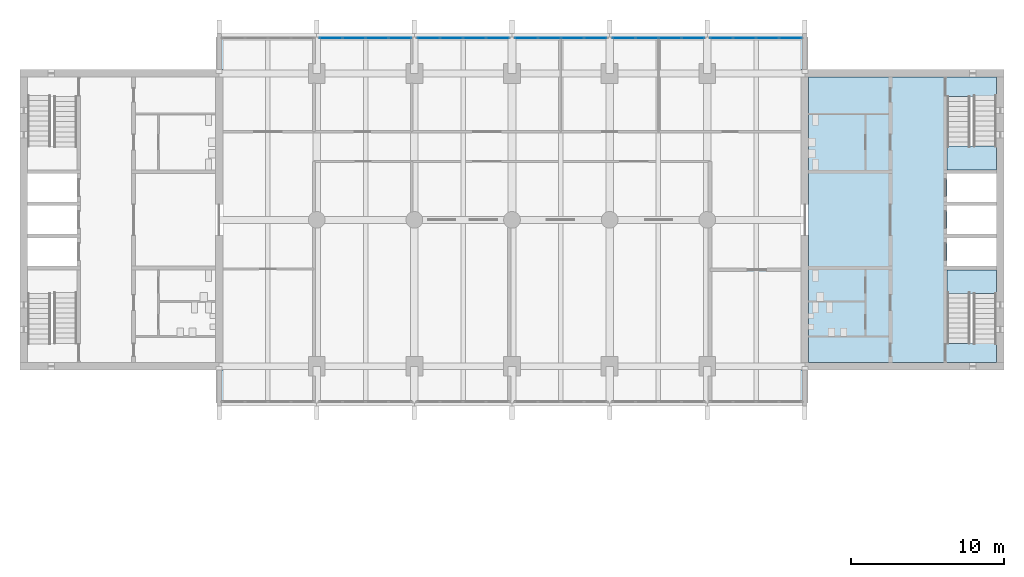
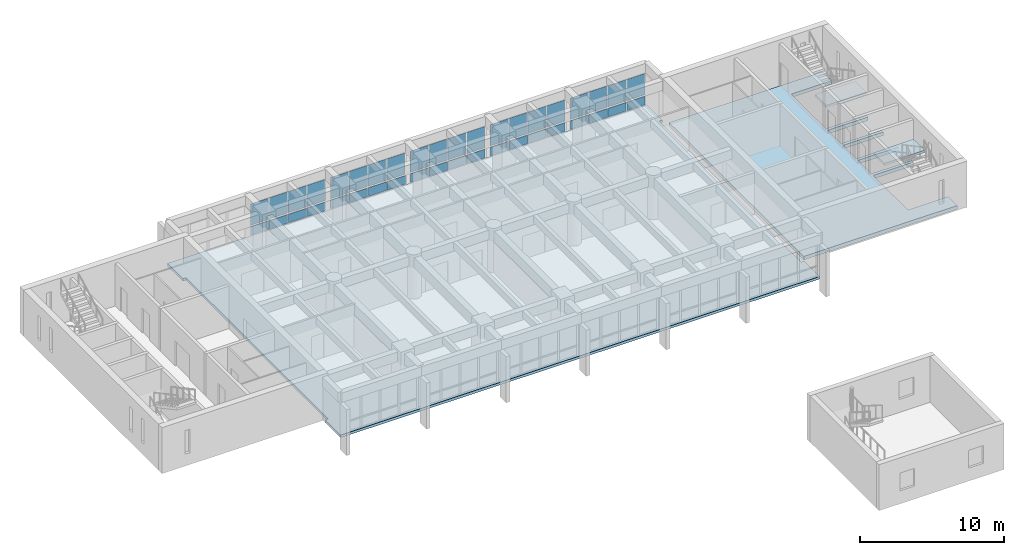
# One storey, part 8 of 19: 40 plates, 4 slabs, 7 elements without a shape of their own.
"""IFC4 building model written with IfcOpenShell, lengths in metres."""

import ifcopenshell
import ifcopenshell.guid

model = None  # the IFC model being written
_history = None  # IfcOwnerHistory: only IFC2X3 demands one
_inside = {}  # id of a spatial element -> (the spatial element, [elements in it])
_under = {}  # id of a project, library or spatial element -> (it, [spatial elements below it])
_declared = {}  # id of a project -> (the project, [libraries it declares])
_typed = {}  # id of a type object -> (the type object, [elements of that type])
_made_of = {}  # id of a material, layer set ... -> (it, [elements and type objects made of it])


def new_model(schema):
    """Start an empty IFC model of exactly this schema.

    Asked for "IFC4X3", IfcOpenShell would pick the latest addendum, in which some entities
    have other attributes; the version numbers below select the first issue.
    IFC2X3 requires an IfcOwnerHistory on every rooted entity: one is made here for all.
    """
    global model, _history
    if schema == "IFC4X3":
        model = ifcopenshell.file(schema_version=(4, 3, 0, 0))
    else:
        model = ifcopenshell.file(schema=schema)
    _inside.clear()
    _under.clear()
    _declared.clear()
    _typed.clear()
    _made_of.clear()
    _history = None
    if model.schema == "IFC2X3":
        org = make("IfcOrganization", Name="unknown")
        user = make(
            "IfcPersonAndOrganization",
            ThePerson=make("IfcPerson", FamilyName="unknown"),
            TheOrganization=org,
        )
        app = make(
            "IfcApplication",
            ApplicationDeveloper=org,
            Version="unknown",
            ApplicationFullName="unknown",
            ApplicationIdentifier="unknown",
        )
        _history = make(
            "IfcOwnerHistory",
            OwningUser=user,
            OwningApplication=app,
            ChangeAction="ADDED",
            CreationDate=0,
        )
    return model


def make(cls, **values):
    """One entity of the class cls with the attributes given. An attribute that is None is left unset."""
    return model.create_entity(
        cls, **{name: value for name, value in values.items() if value is not None}
    )


def rooted(cls, **values):
    """An entity with a GlobalId (a new one), such as an element, a storey or a relation."""
    return make(cls, GlobalId=ifcopenshell.guid.new(), OwnerHistory=_history, **values)


def si_unit(unit_type, name, prefix=None):
    """IfcSIUnit, for example si_unit("LENGTHUNIT", "METRE", prefix="MILLI")."""
    return make("IfcSIUnit", UnitType=unit_type, Prefix=prefix, Name=name)


def assignment(units):
    """IfcUnitAssignment: the units of a project."""
    return None if units is None else make("IfcUnitAssignment", Units=units)


def point(xyz):
    """IfcCartesianPoint."""
    return None if xyz is None else make("IfcCartesianPoint", Coordinates=xyz)


def direction(xyz):
    """IfcDirection."""
    return None if xyz is None else make("IfcDirection", DirectionRatios=xyz)


def frame(location, z_axis=None, x_axis=None):
    """IfcAxis2Placement3D, a coordinate frame: its origin and axes. An axis left out is left unset."""
    return make(
        "IfcAxis2Placement3D",
        Location=point(location),
        Axis=direction(z_axis),
        RefDirection=direction(x_axis),
    )


def frame_2d(location, x_axis=None):
    """IfcAxis2Placement2D, a coordinate frame in the plane: its origin and x axis."""
    return make(
        "IfcAxis2Placement2D", Location=point(location), RefDirection=direction(x_axis)
    )


def origin():
    """The frame at (0, 0, 0) with its axes left unset."""
    return frame((0.0, 0.0, 0.0))


def origin_2d():
    """The frame at (0, 0) in the plane with its x axis left unset."""
    return frame_2d((0.0, 0.0))


def place(relative_to, where):
    """IfcLocalPlacement: puts the frame where relative to a parent placement (None: the world)."""
    return make(
        "IfcLocalPlacement", PlacementRelTo=relative_to, RelativePlacement=where
    )


def context(
    kind, dimensions, precision=None, world=None, true_north=None, identifier=None
):
    """IfcGeometricRepresentationContext, for example the 3D "Model" context."""
    return make(
        "IfcGeometricRepresentationContext",
        ContextIdentifier=identifier,
        ContextType=kind,
        CoordinateSpaceDimension=dimensions,
        Precision=precision,
        WorldCoordinateSystem=world,
        TrueNorth=true_north,
    )


def subcontext(parent, identifier, kind, view, scale=None):
    """IfcGeometricRepresentationSubContext, for example "Body" below "Model"."""
    return make(
        "IfcGeometricRepresentationSubContext",
        ContextIdentifier=identifier,
        ContextType=kind,
        ParentContext=parent,
        TargetScale=scale,
        TargetView=view,
    )


def project(units=None, contexts=None):
    """IfcProject with its units and contexts."""
    return rooted(
        "IfcProject",
        Name="project",
        RepresentationContexts=contexts,
        UnitsInContext=assignment(units),
    )


def spatial(cls, under=None, at=None, **own):
    """A site, building, storey or space (cls), placed at a placement, below another one or the project."""
    s = rooted(cls, ObjectPlacement=at, **own)
    if under is not None:
        _under.setdefault(under.id(), (under, []))[1].append(s)
    return s


def polyline(points):
    """IfcPolyline through the points."""
    return make("IfcPolyline", Points=[point(p) for p in points])


def profile(cls, at=None, kind="AREA", **sizes):
    """A parametric profile (cls). Its sizes go by their IFC names, for example OverallWidth=200.0."""
    return make(cls, ProfileType=kind, Position=at, **sizes)


def rectangle(**sizes):
    """IfcRectangleProfileDef."""
    return profile("IfcRectangleProfileDef", **sizes)


def outline(outer, holes=None, kind="AREA"):
    """IfcArbitraryClosedProfileDef: a profile drawn as a closed curve; with holes, ...WithVoids."""
    if holes is None:
        return make("IfcArbitraryClosedProfileDef", ProfileType=kind, OuterCurve=outer)
    return make(
        "IfcArbitraryProfileDefWithVoids",
        ProfileType=kind,
        OuterCurve=outer,
        InnerCurves=holes,
    )


def extrude(swept, where, along, depth):
    """IfcExtrudedAreaSolid: the profile swept, set in the frame where, extruded along a direction by depth."""
    return make(
        "IfcExtrudedAreaSolid",
        SweptArea=swept,
        Position=where,
        ExtrudedDirection=direction(along),
        Depth=depth,
    )


def shape(context_of_items, identifier, shape_type, items):
    """IfcShapeRepresentation: the items that make up one representation, for example the "Body"."""
    return make(
        "IfcShapeRepresentation",
        ContextOfItems=context_of_items,
        RepresentationIdentifier=identifier,
        RepresentationType=shape_type,
        Items=items,
    )


def material(Name=None, Category=None):
    """IfcMaterial."""
    return make("IfcMaterial", Name=Name, Category=Category)


def layer(
    of_material, thickness, ventilated=None, Name=None, Category=None, Priority=None
):
    """IfcMaterialLayer: one layer of a wall or slab, of a material (None: an air gap)."""
    return make(
        "IfcMaterialLayer",
        Material=of_material,
        LayerThickness=thickness,
        IsVentilated=ventilated,
        Name=Name,
        Category=Category,
        Priority=Priority,
    )


def layer_set(layers, Name=None):
    """IfcMaterialLayerSet."""
    return make("IfcMaterialLayerSet", MaterialLayers=layers, LayerSetName=Name)


def made_of(thing, what):
    """Note that an element or type object is made of a material, layer set ...; save() writes the relation."""
    if what is not None:
        _made_of.setdefault(what.id(), (what, []))[1].append(thing)
    return thing


def type_object(cls, material=None, **own):
    """A type object (cls), such as IfcWallType, which elements share."""
    return made_of(rooted(cls, **own), material)


def element(
    cls,
    number,
    at=None,
    inside=None,
    cuts=None,
    type_object=None,
    material=None,
    context=None,
    identifier="Body",
    shape_type=None,
    held_by="IfcProductDefinitionShape",
    body=None,
    shapes=None,
    **own,
):
    """One element of the class cls, such as IfcWall. Its Tag is "e" and its number.

    at: its placement. inside: the storey or other place that contains it. cuts: it is an
    opening in that element (IfcRelVoidsElement). A single representation is given by context,
    identifier, shape_type and body (its items); several are given by shapes. held_by: the class
    of the entity that holds the representations. save() writes the other relations.
    """
    e = rooted(cls, Tag="e%d" % number, ObjectPlacement=at, **own)
    if body is not None:
        shapes = [shape(context, identifier, shape_type, body)]
    if shapes is not None:
        e.Representation = make(held_by, Representations=shapes)
    if inside is not None:
        _inside.setdefault(inside.id(), (inside, []))[1].append(e)
    if cuts is not None:
        rooted(
            "IfcRelVoidsElement", RelatingBuildingElement=cuts, RelatedOpeningElement=e
        )
    if type_object is not None:
        _typed.setdefault(type_object.id(), (type_object, []))[1].append(e)
    return made_of(e, material)


def aggregate(whole, parts):
    """IfcRelAggregates: a whole, such as a stair, and the parts it consists of."""
    return rooted("IfcRelAggregates", RelatingObject=whole, RelatedObjects=parts)


def save(model, path):
    """Write the relations noted so far, then the file.

    IfcRelAggregates (storeys below a building ...), IfcRelContainedInSpatialStructure (elements
    in a storey), IfcRelDefinesByType, IfcRelAssociatesMaterial and IfcRelDeclares: one each for
    every whole, place, type object, material and project.
    """
    for whole, parts in _under.values():
        aggregate(whole, parts)
    for where, things in _inside.values():
        rooted(
            "IfcRelContainedInSpatialStructure",
            RelatedElements=things,
            RelatingStructure=where,
        )
    for kind, things in _typed.values():
        rooted("IfcRelDefinesByType", RelatedObjects=things, RelatingType=kind)
    for what, things in _made_of.values():
        rooted("IfcRelAssociatesMaterial", RelatedObjects=things, RelatingMaterial=what)
    for by, libraries in _declared.values():
        rooted("IfcRelDeclares", RelatingContext=by, RelatedDefinitions=libraries)
    model.write(path)


model = new_model("IFC4")

# Units and contexts
model_context = context("Model", 3, precision=1e-05, world=origin(), true_north=direction((0.0, 1.0)))
body_context = subcontext(model_context, "Body", "Model", "MODEL_VIEW")
ifc_project = project(units=[si_unit("LENGTHUNIT", "METRE"), si_unit("AREAUNIT", "SQUARE_METRE"), si_unit("VOLUMEUNIT", "CUBIC_METRE"), si_unit("PLANEANGLEUNIT", "RADIAN"), si_unit("MASSUNIT", "GRAM", prefix="KILO")], contexts=[model_context])

# Site, building, storey
site_placement = place(None, origin())
site = spatial("IfcSite", under=ifc_project, at=site_placement, CompositionType="ELEMENT")
building_placement = place(site_placement, origin())
building = spatial("IfcBuilding", under=site, at=building_placement, Name="Fogon Plaza Fire Station and Headquarters Tower", CompositionType="ELEMENT")
storey_placement = place(building_placement, frame((0.0, 0.0, 17.10009765625)))
storey = spatial("IfcBuildingStorey", under=building, at=storey_placement, Name="L04", CompositionType="ELEMENT", Elevation=17.10009765625)

# Slabs
ifc_material_1 = material(Name="Concrete C40", Category="concrete")
ifc_layer_1 = layer(ifc_material_1, 0.300048828125)
ifc_layer_set_1 = layer_set([ifc_layer_1], Name="Concrete C40")
slab_type_1 = type_object("IfcSlabType", Name="Core Floor Slab RC 300", PredefinedType="FLOOR", material=ifc_layer_set_1)
slab_1_placement = place(storey_placement, frame((0.0, 0.0, -0.300048828125)))
element("IfcSlab", 1, at=slab_1_placement, inside=storey, type_object=slab_type_1, Name="Core B floor", PredefinedType="FLOOR", context=body_context, shape_type="SweptSolid", body=[
    extrude(outline(polyline([(76.550048828125, 35.110107421875), (73.324951171875, 35.110107421875), (73.324951171875, 39.925048828125), (76.550048828125, 39.925048828125), (76.550048828125, 40.175048828125), (73.324951171875, 40.175048828125), (73.324951171875, 42.02490234375), (76.550048828125, 42.02490234375), (76.550048828125, 42.27490234375), (73.324951171875, 42.27490234375), (73.324951171875, 44.125), (76.550048828125, 44.125), (76.550048828125, 44.375), (73.324951171875, 44.375), (73.324951171875, 46.22509765625), (76.550048828125, 46.22509765625), (76.550048828125, 46.47509765625), (73.324951171875, 46.47509765625), (73.324951171875, 51.2900390625), (76.550048828125, 51.2900390625), (76.550048828125, 52.550048828125), (64.25, 52.550048828125), (64.25, 33.85009765625), (76.550048828125, 33.85009765625), (76.550048828125, 35.110107421875)])), origin(), (0.0, 0.0, 1.0), 0.300048828125),
])
ifc_material_2 = material(Name="Concrete C40", Category="concrete")
ifc_layer_2 = layer(ifc_material_2, 0.219970703125)
ifc_layer_set_2 = layer_set([ifc_layer_2], Name="Concrete C40")
slab_type_2 = type_object("IfcSlabType", Name="Floor slab 220 S22", PredefinedType="FLOOR", material=ifc_layer_set_2)
slab_2_placement = place(storey_placement, frame((0.0, 0.0, -0.22021484375)))
element("IfcSlab", 2, at=slab_2_placement, inside=storey, type_object=slab_type_2, Name="slab-L04-bar", PredefinedType="FLOOR", context=body_context, shape_type="SweptSolid", body=[
    extrude(outline(polyline([(64.0, 31.199951171875), (25.60009765625, 31.199951171875), (25.60009765625, 33.35009765625), (25.85009765625, 33.35009765625), (25.85009765625, 53.050048828125), (25.60009765625, 53.050048828125), (25.60009765625, 55.199951171875), (64.0, 55.199951171875), (64.0, 53.050048828125), (63.75, 53.050048828125), (63.75, 33.35009765625), (64.0, 33.35009765625), (64.0, 31.199951171875)])), origin(), (0.0, 0.0, 1.0), 0.22021484375),
])

# Curtain wall, plates
ifc_material_3 = material(Name="Aluminium and glass", Category="aluminium")
ifc_layer_3 = layer(ifc_material_3, 0.14990234375)
ifc_layer_set_3 = layer_set([ifc_layer_3], Name="Aluminium and glass")
curtain_wall_type = type_object("IfcCurtainWallType", Name="Unitised Curtain Wall Run 6100x2880", PredefinedType="NOTDEFINED", material=ifc_layer_set_3)
curtain_wall_1_placement = place(storey_placement, origin())
curtain_wall_1 = element("IfcCurtainWall", 3, at=curtain_wall_1_placement, inside=storey, type_object=curtain_wall_type, Name="CW-6100x2880 N2 L04", PredefinedType="NOTDEFINED")
ifc_material_4 = material(Name="Insulated aluminium spandrel", Category="aluminium")
ifc_layer_4 = layer(ifc_material_4, 0.06005859375)
ifc_layer_set_4 = layer_set([ifc_layer_4], Name="Insulated aluminium spandrel")
plate_type_1 = type_object("IfcPlateType", Name="Insulated Spandrel Panel", PredefinedType="CURTAIN_PANEL", material=ifc_layer_set_4)
plate_1_placement = place(storey_placement, frame((32.93505859375, 55.1201171875, 0.1201171875), z_axis=(0.0, 0.0, 1.0), x_axis=(1.0, 0.0, 0.0)))
plate_1 = element("IfcPlate", 4, at=plate_1_placement, type_object=plate_type_1, Name="SP1 panel 1.1", PredefinedType="CURTAIN_PANEL", context=body_context, shape_type="SweptSolid", body=[
    extrude(rectangle(XDim=1.449951171875, YDim=0.06005859375, at=origin_2d()), origin(), (0.0, 0.0, 1.0), 0.719970703125),
])
plate_2_placement = place(storey_placement, frame((34.445068359375, 55.1201171875, 0.1201171875), z_axis=(0.0, 0.0, 1.0), x_axis=(1.0, 0.0, 0.0)))
plate_2 = element("IfcPlate", 5, at=plate_2_placement, type_object=plate_type_1, Name="SP1 panel 2.1", PredefinedType="CURTAIN_PANEL", context=body_context, shape_type="SweptSolid", body=[
    extrude(rectangle(XDim=1.449951171875, YDim=0.06005859375, at=origin_2d()), origin(), (0.0, 0.0, 1.0), 0.719970703125),
])
plate_3_placement = place(storey_placement, frame((35.955078125, 55.1201171875, 0.1201171875), z_axis=(0.0, 0.0, 1.0), x_axis=(1.0, 0.0, 0.0)))
plate_3 = element("IfcPlate", 6, at=plate_3_placement, type_object=plate_type_1, Name="SP1 panel 3.1", PredefinedType="CURTAIN_PANEL", context=body_context, shape_type="SweptSolid", body=[
    extrude(rectangle(XDim=1.449951171875, YDim=0.06005859375, at=origin_2d()), origin(), (0.0, 0.0, 1.0), 0.719970703125),
])
plate_4_placement = place(storey_placement, frame((37.465087890625, 55.1201171875, 0.1201171875), z_axis=(0.0, 0.0, 1.0), x_axis=(1.0, 0.0, 0.0)))
plate_4 = element("IfcPlate", 7, at=plate_4_placement, type_object=plate_type_1, Name="SP1 panel 4.1", PredefinedType="CURTAIN_PANEL", context=body_context, shape_type="SweptSolid", body=[
    extrude(rectangle(XDim=1.449951171875, YDim=0.06005859375, at=origin_2d()), origin(), (0.0, 0.0, 1.0), 0.719970703125),
])

curtain_wall_2_placement = place(storey_placement, origin())
curtain_wall_2 = element("IfcCurtainWall", 8, at=curtain_wall_2_placement, inside=storey, type_object=curtain_wall_type, Name="CW-6100x2880 N3 L04", PredefinedType="NOTDEFINED")
plate_5_placement = place(storey_placement, frame((39.3349609375, 55.1201171875, 0.1201171875), z_axis=(0.0, 0.0, 1.0), x_axis=(1.0, 0.0, 0.0)))
plate_5 = element("IfcPlate", 9, at=plate_5_placement, type_object=plate_type_1, Name="SP1 panel 1.1", PredefinedType="CURTAIN_PANEL", context=body_context, shape_type="SweptSolid", body=[
    extrude(rectangle(XDim=1.449951171875, YDim=0.06005859375, at=origin_2d()), origin(), (0.0, 0.0, 1.0), 0.719970703125),
])
plate_6_placement = place(storey_placement, frame((40.844970703125, 55.1201171875, 0.1201171875), z_axis=(0.0, 0.0, 1.0), x_axis=(1.0, 0.0, 0.0)))
plate_6 = element("IfcPlate", 10, at=plate_6_placement, type_object=plate_type_1, Name="SP1 panel 2.1", PredefinedType="CURTAIN_PANEL", context=body_context, shape_type="SweptSolid", body=[
    extrude(rectangle(XDim=1.449951171875, YDim=0.06005859375, at=origin_2d()), origin(), (0.0, 0.0, 1.0), 0.719970703125),
])
plate_7_placement = place(storey_placement, frame((42.35498046875, 55.1201171875, 0.1201171875), z_axis=(0.0, 0.0, 1.0), x_axis=(1.0, 0.0, 0.0)))
plate_7 = element("IfcPlate", 11, at=plate_7_placement, type_object=plate_type_1, Name="SP1 panel 3.1", PredefinedType="CURTAIN_PANEL", context=body_context, shape_type="SweptSolid", body=[
    extrude(rectangle(XDim=1.449951171875, YDim=0.06005859375, at=origin_2d()), origin(), (0.0, 0.0, 1.0), 0.719970703125),
])
plate_8_placement = place(storey_placement, frame((43.864990234375, 55.1201171875, 0.1201171875), z_axis=(0.0, 0.0, 1.0), x_axis=(1.0, 0.0, 0.0)))
plate_8 = element("IfcPlate", 12, at=plate_8_placement, type_object=plate_type_1, Name="SP1 panel 4.1", PredefinedType="CURTAIN_PANEL", context=body_context, shape_type="SweptSolid", body=[
    extrude(rectangle(XDim=1.449951171875, YDim=0.06005859375, at=origin_2d()), origin(), (0.0, 0.0, 1.0), 0.719970703125),
])

curtain_wall_3_placement = place(storey_placement, origin())
curtain_wall_3 = element("IfcCurtainWall", 13, at=curtain_wall_3_placement, inside=storey, type_object=curtain_wall_type, Name="CW-6100x2880 N4 L04", PredefinedType="NOTDEFINED")
plate_9_placement = place(storey_placement, frame((45.735107421875, 55.1201171875, 0.1201171875), z_axis=(0.0, 0.0, 1.0), x_axis=(1.0, 0.0, 0.0)))
plate_9 = element("IfcPlate", 14, at=plate_9_placement, type_object=plate_type_1, Name="SP1 panel 1.1", PredefinedType="CURTAIN_PANEL", context=body_context, shape_type="SweptSolid", body=[
    extrude(rectangle(XDim=1.449951171875, YDim=0.06005859375, at=origin_2d()), origin(), (0.0, 0.0, 1.0), 0.719970703125),
])
plate_10_placement = place(storey_placement, frame((47.2451171875, 55.1201171875, 0.1201171875), z_axis=(0.0, 0.0, 1.0), x_axis=(1.0, 0.0, 0.0)))
plate_10 = element("IfcPlate", 15, at=plate_10_placement, type_object=plate_type_1, Name="SP1 panel 2.1", PredefinedType="CURTAIN_PANEL", context=body_context, shape_type="SweptSolid", body=[
    extrude(rectangle(XDim=1.449951171875, YDim=0.06005859375, at=origin_2d()), origin(), (0.0, 0.0, 1.0), 0.719970703125),
])
plate_11_placement = place(storey_placement, frame((48.7548828125, 55.1201171875, 0.1201171875), z_axis=(0.0, 0.0, 1.0), x_axis=(1.0, 0.0, 0.0)))
plate_11 = element("IfcPlate", 16, at=plate_11_placement, type_object=plate_type_1, Name="SP1 panel 3.1", PredefinedType="CURTAIN_PANEL", context=body_context, shape_type="SweptSolid", body=[
    extrude(rectangle(XDim=1.449951171875, YDim=0.06005859375, at=origin_2d()), origin(), (0.0, 0.0, 1.0), 0.719970703125),
])
plate_12_placement = place(storey_placement, frame((50.264892578125, 55.1201171875, 0.1201171875), z_axis=(0.0, 0.0, 1.0), x_axis=(1.0, 0.0, 0.0)))
plate_12 = element("IfcPlate", 17, at=plate_12_placement, type_object=plate_type_1, Name="SP1 panel 4.1", PredefinedType="CURTAIN_PANEL", context=body_context, shape_type="SweptSolid", body=[
    extrude(rectangle(XDim=1.449951171875, YDim=0.06005859375, at=origin_2d()), origin(), (0.0, 0.0, 1.0), 0.719970703125),
])

curtain_wall_4_placement = place(storey_placement, origin())
curtain_wall_4 = element("IfcCurtainWall", 18, at=curtain_wall_4_placement, inside=storey, type_object=curtain_wall_type, Name="CW-6100x2880 N5 L04", PredefinedType="NOTDEFINED")
plate_13_placement = place(storey_placement, frame((52.135009765625, 55.1201171875, 0.1201171875), z_axis=(0.0, 0.0, 1.0), x_axis=(1.0, 0.0, 0.0)))
plate_13 = element("IfcPlate", 19, at=plate_13_placement, type_object=plate_type_1, Name="SP1 panel 1.1", PredefinedType="CURTAIN_PANEL", context=body_context, shape_type="SweptSolid", body=[
    extrude(rectangle(XDim=1.449951171875, YDim=0.06005859375, at=origin_2d()), origin(), (0.0, 0.0, 1.0), 0.719970703125),
])
plate_14_placement = place(storey_placement, frame((53.64501953125, 55.1201171875, 0.1201171875), z_axis=(0.0, 0.0, 1.0), x_axis=(1.0, 0.0, 0.0)))
plate_14 = element("IfcPlate", 20, at=plate_14_placement, type_object=plate_type_1, Name="SP1 panel 2.1", PredefinedType="CURTAIN_PANEL", context=body_context, shape_type="SweptSolid", body=[
    extrude(rectangle(XDim=1.449951171875, YDim=0.06005859375, at=origin_2d()), origin(), (0.0, 0.0, 1.0), 0.719970703125),
])
plate_15_placement = place(storey_placement, frame((55.155029296875, 55.1201171875, 0.1201171875), z_axis=(0.0, 0.0, 1.0), x_axis=(1.0, 0.0, 0.0)))
plate_15 = element("IfcPlate", 21, at=plate_15_placement, type_object=plate_type_1, Name="SP1 panel 3.1", PredefinedType="CURTAIN_PANEL", context=body_context, shape_type="SweptSolid", body=[
    extrude(rectangle(XDim=1.449951171875, YDim=0.06005859375, at=origin_2d()), origin(), (0.0, 0.0, 1.0), 0.719970703125),
])
plate_16_placement = place(storey_placement, frame((56.6650390625, 55.1201171875, 0.1201171875), z_axis=(0.0, 0.0, 1.0), x_axis=(1.0, 0.0, 0.0)))
plate_16 = element("IfcPlate", 22, at=plate_16_placement, type_object=plate_type_1, Name="SP1 panel 4.1", PredefinedType="CURTAIN_PANEL", context=body_context, shape_type="SweptSolid", body=[
    extrude(rectangle(XDim=1.449951171875, YDim=0.06005859375, at=origin_2d()), origin(), (0.0, 0.0, 1.0), 0.719970703125),
])

curtain_wall_5_placement = place(storey_placement, origin())
curtain_wall_5 = element("IfcCurtainWall", 23, at=curtain_wall_5_placement, inside=storey, type_object=curtain_wall_type, Name="CW-6100x2880 N6 L04", PredefinedType="NOTDEFINED")
plate_17_placement = place(storey_placement, frame((58.534912109375, 55.1201171875, 0.1201171875), z_axis=(0.0, 0.0, 1.0), x_axis=(1.0, 0.0, 0.0)))
plate_17 = element("IfcPlate", 24, at=plate_17_placement, type_object=plate_type_1, Name="SP1 panel 1.1", PredefinedType="CURTAIN_PANEL", context=body_context, shape_type="SweptSolid", body=[
    extrude(rectangle(XDim=1.449951171875, YDim=0.06005859375, at=origin_2d()), origin(), (0.0, 0.0, 1.0), 0.719970703125),
])
plate_18_placement = place(storey_placement, frame((60.044921875, 55.1201171875, 0.1201171875), z_axis=(0.0, 0.0, 1.0), x_axis=(1.0, 0.0, 0.0)))
plate_18 = element("IfcPlate", 25, at=plate_18_placement, type_object=plate_type_1, Name="SP1 panel 2.1", PredefinedType="CURTAIN_PANEL", context=body_context, shape_type="SweptSolid", body=[
    extrude(rectangle(XDim=1.449951171875, YDim=0.06005859375, at=origin_2d()), origin(), (0.0, 0.0, 1.0), 0.719970703125),
])
plate_19_placement = place(storey_placement, frame((61.554931640625, 55.1201171875, 0.1201171875), z_axis=(0.0, 0.0, 1.0), x_axis=(1.0, 0.0, 0.0)))
plate_19 = element("IfcPlate", 26, at=plate_19_placement, type_object=plate_type_1, Name="SP1 panel 3.1", PredefinedType="CURTAIN_PANEL", context=body_context, shape_type="SweptSolid", body=[
    extrude(rectangle(XDim=1.449951171875, YDim=0.06005859375, at=origin_2d()), origin(), (0.0, 0.0, 1.0), 0.719970703125),
])
plate_20_placement = place(storey_placement, frame((63.06494140625, 55.1201171875, 0.1201171875), z_axis=(0.0, 0.0, 1.0), x_axis=(1.0, 0.0, 0.0)))
plate_20 = element("IfcPlate", 27, at=plate_20_placement, type_object=plate_type_1, Name="SP1 panel 4.1", PredefinedType="CURTAIN_PANEL", context=body_context, shape_type="SweptSolid", body=[
    extrude(rectangle(XDim=1.449951171875, YDim=0.06005859375, at=origin_2d()), origin(), (0.0, 0.0, 1.0), 0.719970703125),
])

# Stair, slab
ifc_material_5 = material(Name="Concrete C40", Category="concrete")
stair_type = type_object("IfcStairType", Name="Exit Stair Two Flights", PredefinedType="TWO_STRAIGHT_RUN_STAIR", material=ifc_material_5)
stair_1_placement = place(storey_placement, origin())
stair_1 = element("IfcStair", 28, at=stair_1_placement, inside=storey, type_object=stair_type, Name="Stair ST3", PredefinedType="TWO_STRAIGHT_RUN_STAIR")
ifc_material_6 = material(Name="Concrete C40", Category="concrete")
ifc_layer_5 = layer(ifc_material_6, 0.300048828125)
ifc_layer_set_5 = layer_set([ifc_layer_5], Name="Concrete C40")
slab_type_3 = type_object("IfcSlabType", Name="Stair Landing RC 300", PredefinedType="LANDING", material=ifc_layer_set_5)
slab_3_placement = place(storey_placement, frame((0.0, 0.0, 1.75)))
slab_3 = element("IfcSlab", 29, at=slab_3_placement, type_object=slab_type_3, Name="ST3 landing L06", PredefinedType="LANDING", context=body_context, shape_type="SweptSolid", body=[
    extrude(outline(polyline([(73.324951171875, 38.375), (76.550048828125, 38.375), (76.550048828125, 39.925048828125), (73.324951171875, 39.925048828125), (73.324951171875, 38.375)])), origin(), (0.0, 0.0, 1.0), 0.199951171875),
])
aggregate(stair_1, [slab_3])

stair_2_placement = place(storey_placement, origin())
stair_2 = element("IfcStair", 30, at=stair_2_placement, inside=storey, type_object=stair_type, Name="Stair ST4", PredefinedType="TWO_STRAIGHT_RUN_STAIR")
slab_4_placement = place(storey_placement, frame((0.0, 0.0, 1.75)))
slab_4 = element("IfcSlab", 31, at=slab_4_placement, type_object=slab_type_3, Name="ST4 landing L06", PredefinedType="LANDING", context=body_context, shape_type="SweptSolid", body=[
    extrude(outline(polyline([(73.324951171875, 46.47509765625), (76.550048828125, 46.47509765625), (76.550048828125, 48.02490234375), (73.324951171875, 48.02490234375), (73.324951171875, 46.47509765625)])), origin(), (0.0, 0.0, 1.0), 0.199951171875),
])
aggregate(stair_2, [slab_4])

# Plate
ifc_material_7 = material(Name="Low-e double glazing", Category="glass")
ifc_layer_6 = layer(ifc_material_7, 0.028076171875)
ifc_layer_set_6 = layer_set([ifc_layer_6], Name="Low-e double glazing")
plate_type_2 = type_object("IfcPlateType", Name="Vision Glass Panel 1450x1800", PredefinedType="CURTAIN_PANEL", material=ifc_layer_set_6)
plate_21_placement = place(storey_placement, frame((32.93505859375, 55.1201171875, 0.9599609375), z_axis=(0.0, 0.0, 1.0), x_axis=(1.0, 0.0, 0.0)))
plate_21 = element("IfcPlate", 32, at=plate_21_placement, type_object=plate_type_2, Name="VG-1450x1800 panel 1.2", PredefinedType="CURTAIN_PANEL", context=body_context, shape_type="SweptSolid", body=[
    extrude(rectangle(XDim=1.449951171875, YDim=0.028076171875, at=origin_2d()), origin(), (0.0, 0.0, 1.0), 1.800048828125),
])

plate_22_placement = place(storey_placement, frame((34.445068359375, 55.1201171875, 0.9599609375), z_axis=(0.0, 0.0, 1.0), x_axis=(1.0, 0.0, 0.0)))
plate_22 = element("IfcPlate", 33, at=plate_22_placement, type_object=plate_type_2, Name="VG-1450x1800 panel 2.2", PredefinedType="CURTAIN_PANEL", context=body_context, shape_type="SweptSolid", body=[
    extrude(rectangle(XDim=1.449951171875, YDim=0.028076171875, at=origin_2d()), origin(), (0.0, 0.0, 1.0), 1.800048828125),
])

plate_23_placement = place(storey_placement, frame((35.955078125, 55.1201171875, 0.9599609375), z_axis=(0.0, 0.0, 1.0), x_axis=(1.0, 0.0, 0.0)))
plate_23 = element("IfcPlate", 34, at=plate_23_placement, type_object=plate_type_2, Name="VG-1450x1800 panel 3.2", PredefinedType="CURTAIN_PANEL", context=body_context, shape_type="SweptSolid", body=[
    extrude(rectangle(XDim=1.449951171875, YDim=0.028076171875, at=origin_2d()), origin(), (0.0, 0.0, 1.0), 1.800048828125),
])

plate_24_placement = place(storey_placement, frame((37.465087890625, 55.1201171875, 0.9599609375), z_axis=(0.0, 0.0, 1.0), x_axis=(1.0, 0.0, 0.0)))
plate_24 = element("IfcPlate", 35, at=plate_24_placement, type_object=plate_type_2, Name="VG-1450x1800 panel 4.2", PredefinedType="CURTAIN_PANEL", context=body_context, shape_type="SweptSolid", body=[
    extrude(rectangle(XDim=1.449951171875, YDim=0.028076171875, at=origin_2d()), origin(), (0.0, 0.0, 1.0), 1.800048828125),
])

aggregate(curtain_wall_1, [plate_1, plate_21, plate_2, plate_22, plate_3, plate_23, plate_4, plate_24])

plate_25_placement = place(storey_placement, frame((39.3349609375, 55.1201171875, 0.9599609375), z_axis=(0.0, 0.0, 1.0), x_axis=(1.0, 0.0, 0.0)))
plate_25 = element("IfcPlate", 36, at=plate_25_placement, type_object=plate_type_2, Name="VG-1450x1800 panel 1.2", PredefinedType="CURTAIN_PANEL", context=body_context, shape_type="SweptSolid", body=[
    extrude(rectangle(XDim=1.449951171875, YDim=0.028076171875, at=origin_2d()), origin(), (0.0, 0.0, 1.0), 1.800048828125),
])

plate_26_placement = place(storey_placement, frame((40.844970703125, 55.1201171875, 0.9599609375), z_axis=(0.0, 0.0, 1.0), x_axis=(1.0, 0.0, 0.0)))
plate_26 = element("IfcPlate", 37, at=plate_26_placement, type_object=plate_type_2, Name="VG-1450x1800 panel 2.2", PredefinedType="CURTAIN_PANEL", context=body_context, shape_type="SweptSolid", body=[
    extrude(rectangle(XDim=1.449951171875, YDim=0.028076171875, at=origin_2d()), origin(), (0.0, 0.0, 1.0), 1.800048828125),
])

plate_27_placement = place(storey_placement, frame((42.35498046875, 55.1201171875, 0.9599609375), z_axis=(0.0, 0.0, 1.0), x_axis=(1.0, 0.0, 0.0)))
plate_27 = element("IfcPlate", 38, at=plate_27_placement, type_object=plate_type_2, Name="VG-1450x1800 panel 3.2", PredefinedType="CURTAIN_PANEL", context=body_context, shape_type="SweptSolid", body=[
    extrude(rectangle(XDim=1.449951171875, YDim=0.028076171875, at=origin_2d()), origin(), (0.0, 0.0, 1.0), 1.800048828125),
])

plate_28_placement = place(storey_placement, frame((43.864990234375, 55.1201171875, 0.9599609375), z_axis=(0.0, 0.0, 1.0), x_axis=(1.0, 0.0, 0.0)))
plate_28 = element("IfcPlate", 39, at=plate_28_placement, type_object=plate_type_2, Name="VG-1450x1800 panel 4.2", PredefinedType="CURTAIN_PANEL", context=body_context, shape_type="SweptSolid", body=[
    extrude(rectangle(XDim=1.449951171875, YDim=0.028076171875, at=origin_2d()), origin(), (0.0, 0.0, 1.0), 1.800048828125),
])

aggregate(curtain_wall_2, [plate_5, plate_25, plate_6, plate_26, plate_7, plate_27, plate_8, plate_28])

plate_29_placement = place(storey_placement, frame((45.735107421875, 55.1201171875, 0.9599609375), z_axis=(0.0, 0.0, 1.0), x_axis=(1.0, 0.0, 0.0)))
plate_29 = element("IfcPlate", 40, at=plate_29_placement, type_object=plate_type_2, Name="VG-1450x1800 panel 1.2", PredefinedType="CURTAIN_PANEL", context=body_context, shape_type="SweptSolid", body=[
    extrude(rectangle(XDim=1.449951171875, YDim=0.028076171875, at=origin_2d()), origin(), (0.0, 0.0, 1.0), 1.800048828125),
])

plate_30_placement = place(storey_placement, frame((47.2451171875, 55.1201171875, 0.9599609375), z_axis=(0.0, 0.0, 1.0), x_axis=(1.0, 0.0, 0.0)))
plate_30 = element("IfcPlate", 41, at=plate_30_placement, type_object=plate_type_2, Name="VG-1450x1800 panel 2.2", PredefinedType="CURTAIN_PANEL", context=body_context, shape_type="SweptSolid", body=[
    extrude(rectangle(XDim=1.449951171875, YDim=0.028076171875, at=origin_2d()), origin(), (0.0, 0.0, 1.0), 1.800048828125),
])

plate_31_placement = place(storey_placement, frame((48.7548828125, 55.1201171875, 0.9599609375), z_axis=(0.0, 0.0, 1.0), x_axis=(1.0, 0.0, 0.0)))
plate_31 = element("IfcPlate", 42, at=plate_31_placement, type_object=plate_type_2, Name="VG-1450x1800 panel 3.2", PredefinedType="CURTAIN_PANEL", context=body_context, shape_type="SweptSolid", body=[
    extrude(rectangle(XDim=1.449951171875, YDim=0.028076171875, at=origin_2d()), origin(), (0.0, 0.0, 1.0), 1.800048828125),
])

plate_32_placement = place(storey_placement, frame((50.264892578125, 55.1201171875, 0.9599609375), z_axis=(0.0, 0.0, 1.0), x_axis=(1.0, 0.0, 0.0)))
plate_32 = element("IfcPlate", 43, at=plate_32_placement, type_object=plate_type_2, Name="VG-1450x1800 panel 4.2", PredefinedType="CURTAIN_PANEL", context=body_context, shape_type="SweptSolid", body=[
    extrude(rectangle(XDim=1.449951171875, YDim=0.028076171875, at=origin_2d()), origin(), (0.0, 0.0, 1.0), 1.800048828125),
])

aggregate(curtain_wall_3, [plate_9, plate_29, plate_10, plate_30, plate_11, plate_31, plate_12, plate_32])

plate_33_placement = place(storey_placement, frame((52.135009765625, 55.1201171875, 0.9599609375), z_axis=(0.0, 0.0, 1.0), x_axis=(1.0, 0.0, 0.0)))
plate_33 = element("IfcPlate", 44, at=plate_33_placement, type_object=plate_type_2, Name="VG-1450x1800 panel 1.2", PredefinedType="CURTAIN_PANEL", context=body_context, shape_type="SweptSolid", body=[
    extrude(rectangle(XDim=1.449951171875, YDim=0.028076171875, at=origin_2d()), origin(), (0.0, 0.0, 1.0), 1.800048828125),
])

plate_34_placement = place(storey_placement, frame((53.64501953125, 55.1201171875, 0.9599609375), z_axis=(0.0, 0.0, 1.0), x_axis=(1.0, 0.0, 0.0)))
plate_34 = element("IfcPlate", 45, at=plate_34_placement, type_object=plate_type_2, Name="VG-1450x1800 panel 2.2", PredefinedType="CURTAIN_PANEL", context=body_context, shape_type="SweptSolid", body=[
    extrude(rectangle(XDim=1.449951171875, YDim=0.028076171875, at=origin_2d()), origin(), (0.0, 0.0, 1.0), 1.800048828125),
])

plate_35_placement = place(storey_placement, frame((55.155029296875, 55.1201171875, 0.9599609375), z_axis=(0.0, 0.0, 1.0), x_axis=(1.0, 0.0, 0.0)))
plate_35 = element("IfcPlate", 46, at=plate_35_placement, type_object=plate_type_2, Name="VG-1450x1800 panel 3.2", PredefinedType="CURTAIN_PANEL", context=body_context, shape_type="SweptSolid", body=[
    extrude(rectangle(XDim=1.449951171875, YDim=0.028076171875, at=origin_2d()), origin(), (0.0, 0.0, 1.0), 1.800048828125),
])

plate_36_placement = place(storey_placement, frame((56.6650390625, 55.1201171875, 0.9599609375), z_axis=(0.0, 0.0, 1.0), x_axis=(1.0, 0.0, 0.0)))
plate_36 = element("IfcPlate", 47, at=plate_36_placement, type_object=plate_type_2, Name="VG-1450x1800 panel 4.2", PredefinedType="CURTAIN_PANEL", context=body_context, shape_type="SweptSolid", body=[
    extrude(rectangle(XDim=1.449951171875, YDim=0.028076171875, at=origin_2d()), origin(), (0.0, 0.0, 1.0), 1.800048828125),
])

aggregate(curtain_wall_4, [plate_13, plate_33, plate_14, plate_34, plate_15, plate_35, plate_16, plate_36])

plate_37_placement = place(storey_placement, frame((58.534912109375, 55.1201171875, 0.9599609375), z_axis=(0.0, 0.0, 1.0), x_axis=(1.0, 0.0, 0.0)))
plate_37 = element("IfcPlate", 48, at=plate_37_placement, type_object=plate_type_2, Name="VG-1450x1800 panel 1.2", PredefinedType="CURTAIN_PANEL", context=body_context, shape_type="SweptSolid", body=[
    extrude(rectangle(XDim=1.449951171875, YDim=0.028076171875, at=origin_2d()), origin(), (0.0, 0.0, 1.0), 1.800048828125),
])

plate_38_placement = place(storey_placement, frame((60.044921875, 55.1201171875, 0.9599609375), z_axis=(0.0, 0.0, 1.0), x_axis=(1.0, 0.0, 0.0)))
plate_38 = element("IfcPlate", 49, at=plate_38_placement, type_object=plate_type_2, Name="VG-1450x1800 panel 2.2", PredefinedType="CURTAIN_PANEL", context=body_context, shape_type="SweptSolid", body=[
    extrude(rectangle(XDim=1.449951171875, YDim=0.028076171875, at=origin_2d()), origin(), (0.0, 0.0, 1.0), 1.800048828125),
])

plate_39_placement = place(storey_placement, frame((61.554931640625, 55.1201171875, 0.9599609375), z_axis=(0.0, 0.0, 1.0), x_axis=(1.0, 0.0, 0.0)))
plate_39 = element("IfcPlate", 50, at=plate_39_placement, type_object=plate_type_2, Name="VG-1450x1800 panel 3.2", PredefinedType="CURTAIN_PANEL", context=body_context, shape_type="SweptSolid", body=[
    extrude(rectangle(XDim=1.449951171875, YDim=0.028076171875, at=origin_2d()), origin(), (0.0, 0.0, 1.0), 1.800048828125),
])

plate_40_placement = place(storey_placement, frame((63.06494140625, 55.1201171875, 0.9599609375), z_axis=(0.0, 0.0, 1.0), x_axis=(1.0, 0.0, 0.0)))
plate_40 = element("IfcPlate", 51, at=plate_40_placement, type_object=plate_type_2, Name="VG-1450x1800 panel 4.2", PredefinedType="CURTAIN_PANEL", context=body_context, shape_type="SweptSolid", body=[
    extrude(rectangle(XDim=1.449951171875, YDim=0.028076171875, at=origin_2d()), origin(), (0.0, 0.0, 1.0), 1.800048828125),
])

aggregate(curtain_wall_5, [plate_17, plate_37, plate_18, plate_38, plate_19, plate_39, plate_20, plate_40])

save(model, "model.ifc")
